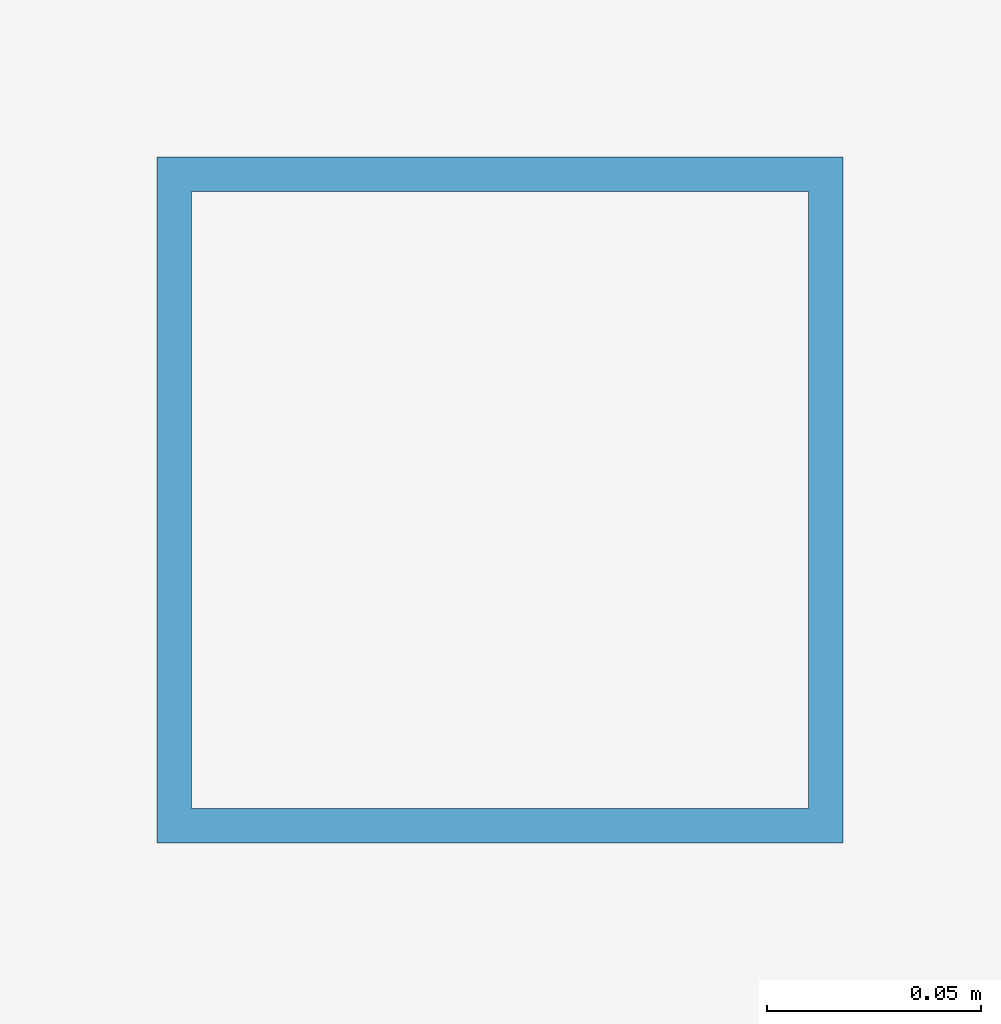
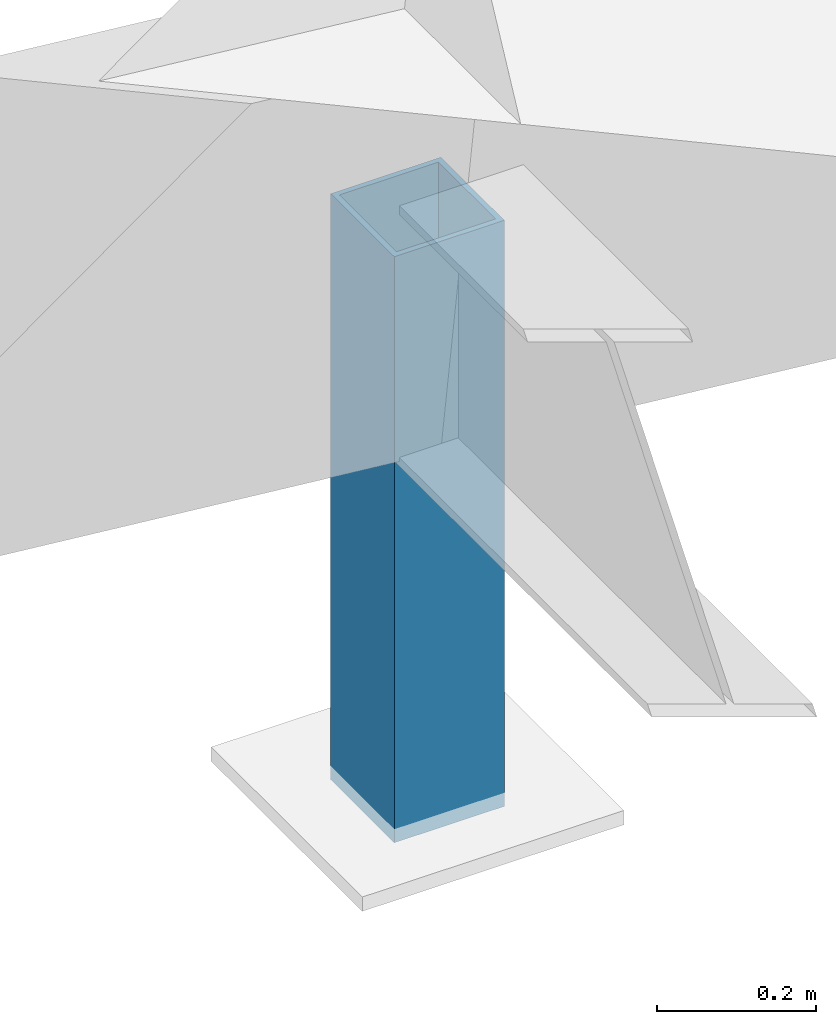
# One storey, part 21 of 93: 1 column.
"""IFC4 building model written with IfcOpenShell, lengths in metres."""

from ifc_helpers import new_model, si_unit, direction, frame, origin, origin_2d, place, context, subcontext, project, spatial, hollow_rectangle, extrude, material, material_profile, profile_set, type_object, element, save


model = new_model("IFC4")

# Units and contexts
model_context = context("Model", 3, precision=1e-05, world=origin(), true_north=direction((0.0, 1.0)))
body_context = subcontext(model_context, "Body", "Model", "MODEL_VIEW")
ifc_project = project(units=[si_unit("LENGTHUNIT", "METRE"), si_unit("AREAUNIT", "SQUARE_METRE"), si_unit("VOLUMEUNIT", "CUBIC_METRE"), si_unit("PLANEANGLEUNIT", "RADIAN"), si_unit("MASSUNIT", "GRAM", prefix="KILO")], contexts=[model_context])

# Site, building, storey
site_placement = place(None, origin())
site = spatial("IfcSite", under=ifc_project, at=site_placement, CompositionType="ELEMENT")
building_placement = place(site_placement, origin())
building = spatial("IfcBuilding", under=site, at=building_placement, Name="Vourika Railside Aquatics Centre", CompositionType="ELEMENT")
storey_placement = place(building_placement, frame((0.0, 0.0, 21.89990234375)))
storey = spatial("IfcBuildingStorey", under=building, at=storey_placement, Name="Roof", CompositionType="ELEMENT", Elevation=21.89990234375)

# Column
ifc_material = material(Name="Steel S355J2", Category="steel")
ifc_material_profile = material_profile(ifc_material, hollow_rectangle(XDim=0.159912109375, YDim=0.159912109375, WallThickness=0.008056640625, at=origin_2d()), Name="SHS 160x160x8")
ifc_profile_set = profile_set([ifc_material_profile], Name="Steel S355J2")
column_type = type_object("IfcColumnType", Name="COL-STL-SHS160", PredefinedType="COLUMN", material=ifc_profile_set)
column_placement = place(storey_placement, frame((159.0, 92.0, -8.39990234375), z_axis=(0.0, 0.0, 1.0), x_axis=(1.0, 0.0, 0.0)))
element("IfcColumn", 1, at=column_placement, inside=storey, type_object=column_type, Name="Foyer Canopy Ridge Post (159,92)", PredefinedType="COLUMN", context=body_context, shape_type="SweptSolid", body=[
    extrude(hollow_rectangle(XDim=0.159912109375, YDim=0.159912109375, WallThickness=0.008056640625, at=origin_2d()), origin(), (0.0, 0.0, 1.0), 0.89990234375),
])

save(model, "model.ifc")
